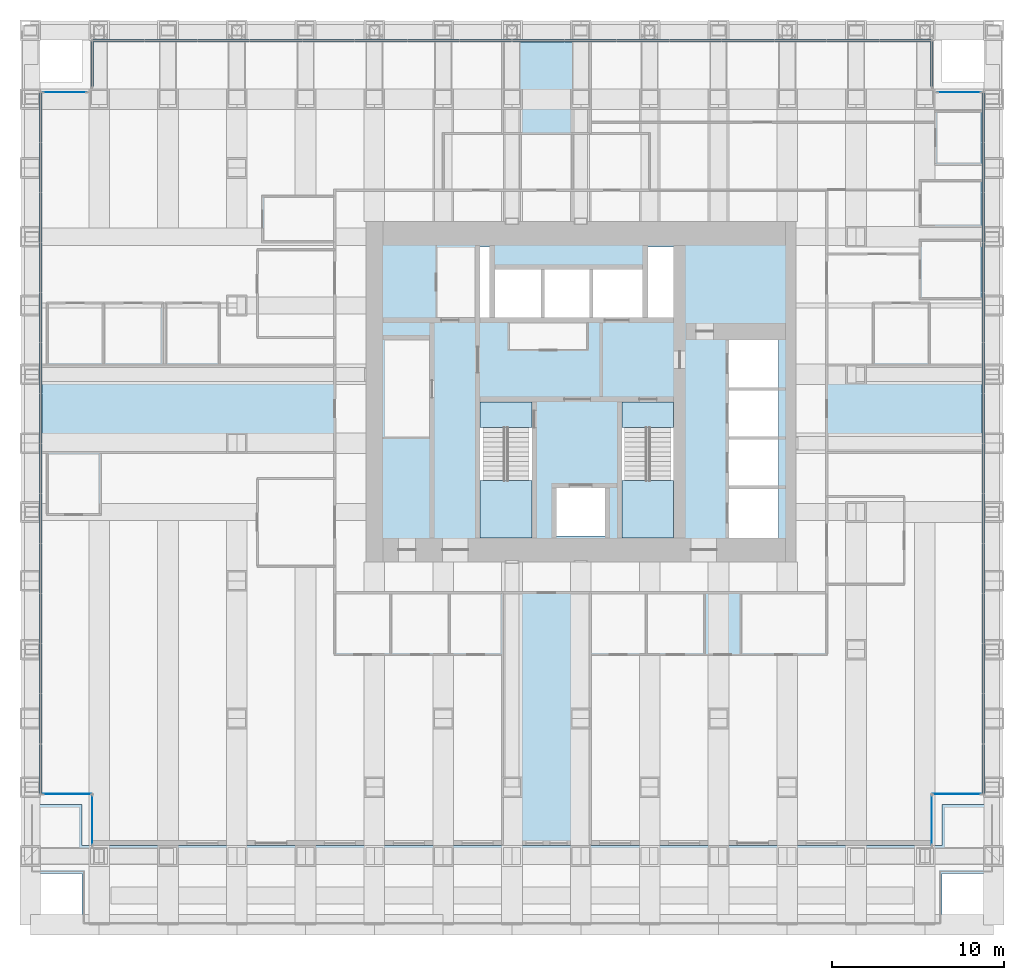
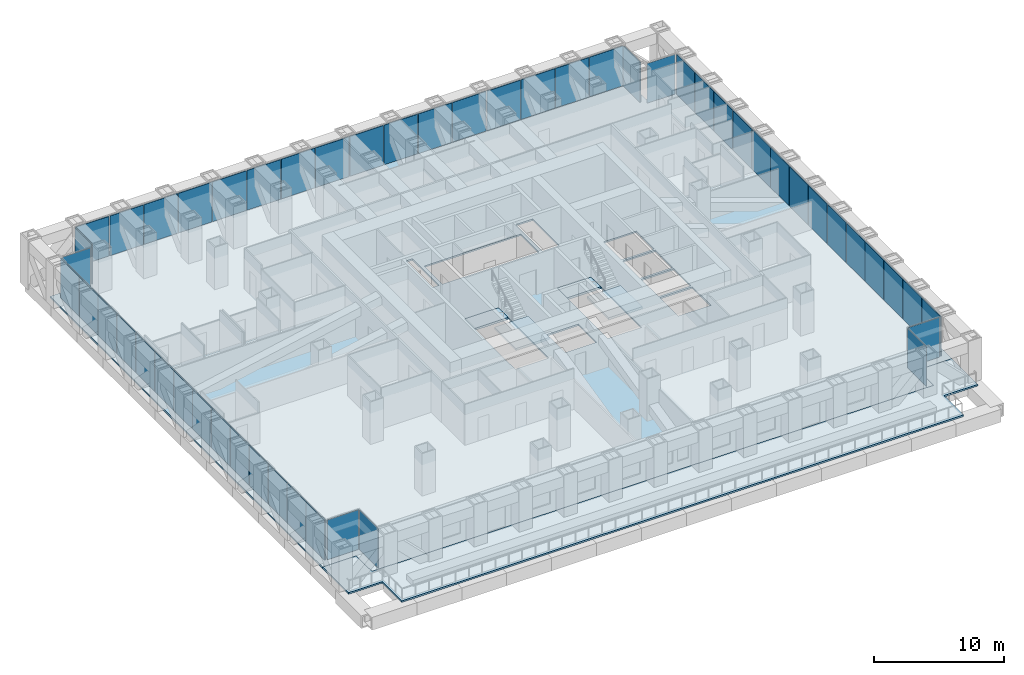
# One storey, part 11 of 18: 52 plates, 6 slabs, 13 elements without a shape of their own.
"""IFC4 building model written with IfcOpenShell, lengths in metres."""

from ifc_helpers import new_model, si_unit, direction, frame, origin, origin_2d, place, context, subcontext, project, spatial, polyline, rectangle, outline, extrude, material, layer, layer_set, type_object, element, aggregate, save


model = new_model("IFC4")

# Units and contexts
model_context = context("Model", 3, precision=1e-05, world=origin(), true_north=direction((0.0, 1.0)))
body_context = subcontext(model_context, "Body", "Model", "MODEL_VIEW")
ifc_project = project(units=[si_unit("LENGTHUNIT", "METRE"), si_unit("AREAUNIT", "SQUARE_METRE"), si_unit("VOLUMEUNIT", "CUBIC_METRE"), si_unit("PLANEANGLEUNIT", "RADIAN"), si_unit("MASSUNIT", "GRAM", prefix="KILO")], contexts=[model_context])

# Site, building, storey
site_placement = place(None, origin())
site = spatial("IfcSite", under=ifc_project, at=site_placement, CompositionType="ELEMENT")
building_placement = place(site_placement, origin())
building = spatial("IfcBuilding", under=site, at=building_placement, Name="Rimbunsela Tower", CompositionType="ELEMENT")
storey_placement = place(building_placement, frame((0.0, 0.0, 43.0)))
storey = spatial("IfcBuildingStorey", under=building, at=storey_placement, Name="L10", CompositionType="ELEMENT", Elevation=43.0)

# Slab
ifc_material_1 = material(Name="Concrete fc' 35 MPa", Category="concrete")
ifc_layer_1 = layer(ifc_material_1, 0.14990234375)
ifc_layer_set_1 = layer_set([ifc_layer_1], Name="Floor slab 150")
slab_type_1 = type_object("IfcSlabType", Name="Floor slab 150", PredefinedType="FLOOR", material=ifc_layer_set_1)
slab_1_placement = place(storey_placement, frame((0.0, 0.0, -0.14990234375)))
element("IfcSlab", 1, at=slab_1_placement, inside=storey, type_object=slab_type_1, Name="Floor slab L10", PredefinedType="FLOOR", context=body_context, shape_type="SweptSolid", body=[
    extrude(outline(polyline([(1.0, 3.0), (1.0, 0.60009765625), (51.0, 0.60009765625), (51.0, 3.0), (54.0, 3.0), (54.0, 45.0), (51.0, 45.0), (51.0, 48.0), (1.0, 48.0), (1.0, 45.0), (-2.0, 45.0), (-2.0, 3.0), (1.0, 3.0)]), holes=[polyline([(27.14990234375, 18.60009765625), (27.14990234375, 26.39990234375), (24.14990234375, 26.39990234375), (24.14990234375, 18.60009765625), (27.14990234375, 18.60009765625)]), polyline([(24.699951171875, 31.300048828125), (24.699951171875, 35.39990234375), (24.14990234375, 35.39990234375), (24.14990234375, 31.300048828125), (24.699951171875, 31.300048828125)]), polyline([(25.0, 34.10009765625), (25.0, 31.300048828125), (33.60009765625, 31.300048828125), (33.60009765625, 34.10009765625), (25.0, 34.10009765625)]), polyline([(31.39990234375, 21.39990234375), (28.60009765625, 21.39990234375), (28.60009765625, 18.60009765625), (31.39990234375, 18.60009765625), (31.39990234375, 21.39990234375)]), polyline([(35.39990234375, 18.60009765625), (35.39990234375, 26.39990234375), (32.39990234375, 26.39990234375), (32.39990234375, 18.60009765625), (35.39990234375, 18.60009765625)]), polyline([(35.39990234375, 31.300048828125), (35.39990234375, 35.39990234375), (33.89990234375, 35.39990234375), (33.89990234375, 31.300048828125), (35.39990234375, 31.300048828125)]), polyline([(41.5, 21.35009765625), (38.60009765625, 21.35009765625), (38.60009765625, 18.5), (41.5, 18.5), (41.5, 21.35009765625)]), polyline([(41.5, 21.550048828125), (41.5, 24.199951171875), (38.60009765625, 24.199951171875), (38.60009765625, 21.550048828125), (41.5, 21.550048828125)]), polyline([(41.5, 27.050048828125), (38.60009765625, 27.050048828125), (38.60009765625, 24.39990234375), (41.5, 24.39990234375), (41.5, 27.050048828125)]), polyline([(41.5, 27.25), (41.5, 30.0), (38.60009765625, 30.0), (38.60009765625, 27.25), (41.5, 27.25)])]), origin(), (0.0, 0.0, 1.0), 0.14990234375),
])

# Curtain wall, plate
ifc_material_2 = material(Name="Aluminium curtain wall", Category="aluminium")
curtain_wall_type_1 = type_object("IfcCurtainWallType", Name="Corner glazing", PredefinedType="USERDEFINED", material=ifc_material_2)
curtain_wall_1_placement = place(storey_placement, origin())
curtain_wall_1 = element("IfcCurtainWall", 2, at=curtain_wall_1_placement, inside=storey, type_object=curtain_wall_type_1, Name="Corner glazing L10", ObjectType="CORNER GLAZING", PredefinedType="USERDEFINED")
ifc_material_3 = material(Name="Clear double glazing", Category="glass")
ifc_layer_2 = layer(ifc_material_3, 0.028076171875)
ifc_layer_set_2 = layer_set([ifc_layer_2], Name="Glazed panel clear")
plate_type_1 = type_object("IfcPlateType", Name="Glazed panel clear", PredefinedType="CURTAIN_PANEL", material=ifc_layer_set_2)
plate_1_placement = place(storey_placement, frame((50.39990234375, 2.10009765625, 0.06005859375), z_axis=(0.0, 0.0, 1.0), x_axis=(0.0, 1.0, 0.0)))
plate_1 = element("IfcPlate", 3, at=plate_1_placement, type_object=plate_type_1, Name="CW5 panel 1.1", PredefinedType="CURTAIN_PANEL", context=body_context, shape_type="SweptSolid", body=[
    extrude(rectangle(XDim=2.8798828125, YDim=0.028076171875, at=origin_2d()), origin(), (0.0, 0.0, 1.0), 3.72998046875),
])
aggregate(curtain_wall_1, [plate_1])

curtain_wall_2_placement = place(storey_placement, origin())
curtain_wall_2 = element("IfcCurtainWall", 4, at=curtain_wall_2_placement, inside=storey, type_object=curtain_wall_type_1, Name="Corner glazing L10", ObjectType="CORNER GLAZING", PredefinedType="USERDEFINED")
plate_2_placement = place(storey_placement, frame((51.85009765625, 3.60009765625, 0.06005859375), z_axis=(0.0, 0.0, 1.0), x_axis=(1.0, 0.0, 0.0)))
plate_2 = element("IfcPlate", 5, at=plate_2_placement, type_object=plate_type_1, Name="CW5 panel 1.1", PredefinedType="CURTAIN_PANEL", context=body_context, shape_type="SweptSolid", body=[
    extrude(rectangle(XDim=2.780029296875, YDim=0.028076171875, at=origin_2d()), origin(), (0.0, 0.0, 1.0), 3.72998046875),
])
aggregate(curtain_wall_2, [plate_2])

curtain_wall_3_placement = place(storey_placement, origin())
curtain_wall_3 = element("IfcCurtainWall", 6, at=curtain_wall_3_placement, inside=storey, type_object=curtain_wall_type_1, Name="Corner glazing L10", ObjectType="CORNER GLAZING", PredefinedType="USERDEFINED")
plate_3_placement = place(storey_placement, frame((52.0, 44.39990234375, 0.06005859375), z_axis=(0.0, 0.0, 1.0), x_axis=(-1.0, 0.0, 0.0)))
plate_3 = element("IfcPlate", 7, at=plate_3_placement, type_object=plate_type_1, Name="CW5 panel 1.1", PredefinedType="CURTAIN_PANEL", context=body_context, shape_type="SweptSolid", body=[
    extrude(rectangle(XDim=2.47998046875, YDim=0.028076171875, at=origin_2d()), origin(), (0.0, 0.0, 1.0), 3.72998046875),
])
aggregate(curtain_wall_3, [plate_3])

curtain_wall_4_placement = place(storey_placement, origin())
curtain_wall_4 = element("IfcCurtainWall", 8, at=curtain_wall_4_placement, inside=storey, type_object=curtain_wall_type_1, Name="Corner glazing L10", ObjectType="CORNER GLAZING", PredefinedType="USERDEFINED")
plate_4_placement = place(storey_placement, frame((0.0, 44.39990234375, 0.06005859375), z_axis=(0.0, 0.0, 1.0), x_axis=(-1.0, 0.0, 0.0)))
plate_4 = element("IfcPlate", 9, at=plate_4_placement, type_object=plate_type_1, Name="CW5 panel 1.1", PredefinedType="CURTAIN_PANEL", context=body_context, shape_type="SweptSolid", body=[
    extrude(rectangle(XDim=2.47998046875, YDim=0.028076171875, at=origin_2d()), origin(), (0.0, 0.0, 1.0), 3.72998046875),
])
aggregate(curtain_wall_4, [plate_4])

curtain_wall_5_placement = place(storey_placement, origin())
curtain_wall_5 = element("IfcCurtainWall", 10, at=curtain_wall_5_placement, inside=storey, type_object=curtain_wall_type_1, Name="Corner glazing L10", ObjectType="CORNER GLAZING", PredefinedType="USERDEFINED")
plate_5_placement = place(storey_placement, frame((0.14990234375, 3.60009765625, 0.06005859375), z_axis=(0.0, 0.0, 1.0), x_axis=(1.0, 0.0, 0.0)))
plate_5 = element("IfcPlate", 11, at=plate_5_placement, type_object=plate_type_1, Name="CW5 panel 1.1", PredefinedType="CURTAIN_PANEL", context=body_context, shape_type="SweptSolid", body=[
    extrude(rectangle(XDim=2.780029296875, YDim=0.028076171875, at=origin_2d()), origin(), (0.0, 0.0, 1.0), 3.72998046875),
])
aggregate(curtain_wall_5, [plate_5])

curtain_wall_6_placement = place(storey_placement, origin())
curtain_wall_6 = element("IfcCurtainWall", 12, at=curtain_wall_6_placement, inside=storey, type_object=curtain_wall_type_1, Name="Corner glazing L10", ObjectType="CORNER GLAZING", PredefinedType="USERDEFINED")
plate_6_placement = place(storey_placement, frame((1.60009765625, 2.10009765625, 0.06005859375), z_axis=(0.0, 0.0, 1.0), x_axis=(0.0, -1.0, 0.0)))
plate_6 = element("IfcPlate", 13, at=plate_6_placement, type_object=plate_type_1, Name="CW5 panel 1.1", PredefinedType="CURTAIN_PANEL", context=body_context, shape_type="SweptSolid", body=[
    extrude(rectangle(XDim=2.8798828125, YDim=0.028076171875, at=origin_2d()), origin(), (0.0, 0.0, 1.0), 3.72998046875),
])
aggregate(curtain_wall_6, [plate_6])

# Curtain wall, plates
ifc_material_4 = material(Name="Aluminium curtain wall", Category="aluminium")
curtain_wall_type_2 = type_object("IfcCurtainWallType", Name="Exoskeleton storey infill", PredefinedType="USERDEFINED", material=ifc_material_4)
curtain_wall_7_placement = place(storey_placement, origin())
curtain_wall_7 = element("IfcCurtainWall", 14, at=curtain_wall_7_placement, inside=storey, type_object=curtain_wall_type_2, Name="Exoskeleton storey infill L10", ObjectType="EXOSKELETON STOREY INFILL", PredefinedType="USERDEFINED")
ifc_material_5 = material(Name="Insulated aluminium spandrel panel", Category="aluminium")
ifc_layer_3 = layer(ifc_material_5, 0.10009765625)
ifc_layer_set_3 = layer_set([ifc_layer_3], Name="Insulated panel 100")
plate_type_2 = type_object("IfcPlateType", Name="Insulated panel 100", PredefinedType="CURTAIN_PANEL", material=ifc_layer_set_3)
plate_7_placement = place(storey_placement, frame((53.39990234375, 5.072021484375, 0.06005859375), z_axis=(0.0, 0.0, 1.0), x_axis=(0.0, 1.0, 0.0)))
plate_7 = element("IfcPlate", 15, at=plate_7_placement, type_object=plate_type_2, Name="CW2 panel 1.1", PredefinedType="CURTAIN_PANEL", context=body_context, shape_type="SweptSolid", body=[
    extrude(rectangle(XDim=2.82421875, YDim=0.10009765625, at=origin_2d()), origin(), (0.0, 0.0, 1.0), 3.72998046875),
])
plate_8_placement = place(storey_placement, frame((53.39990234375, 7.971435546875, 0.06005859375), z_axis=(0.0, 0.0, 1.0), x_axis=(0.0, 1.0, 0.0)))
plate_8 = element("IfcPlate", 16, at=plate_8_placement, type_object=plate_type_2, Name="CW2 panel 2.1", PredefinedType="CURTAIN_PANEL", context=body_context, shape_type="SweptSolid", body=[
    extrude(rectangle(XDim=2.854248046875, YDim=0.10009765625, at=origin_2d()), origin(), (0.0, 0.0, 1.0), 3.72998046875),
])
plate_9_placement = place(storey_placement, frame((53.39990234375, 10.8857421875, 0.06005859375), z_axis=(0.0, 0.0, 1.0), x_axis=(0.0, 1.0, 0.0)))
plate_9 = element("IfcPlate", 17, at=plate_9_placement, type_object=plate_type_2, Name="CW2 panel 3.1", PredefinedType="CURTAIN_PANEL", context=body_context, shape_type="SweptSolid", body=[
    extrude(rectangle(XDim=2.854248046875, YDim=0.10009765625, at=origin_2d()), origin(), (0.0, 0.0, 1.0), 3.72998046875),
])
plate_10_placement = place(storey_placement, frame((53.39990234375, 13.800048828125, 0.06005859375), z_axis=(0.0, 0.0, 1.0), x_axis=(0.0, 1.0, 0.0)))
plate_10 = element("IfcPlate", 18, at=plate_10_placement, type_object=plate_type_2, Name="CW2 panel 4.1", PredefinedType="CURTAIN_PANEL", context=body_context, shape_type="SweptSolid", body=[
    extrude(rectangle(XDim=2.854248046875, YDim=0.10009765625, at=origin_2d()), origin(), (0.0, 0.0, 1.0), 3.72998046875),
])
plate_11_placement = place(storey_placement, frame((53.39990234375, 16.71435546875, 0.06005859375), z_axis=(0.0, 0.0, 1.0), x_axis=(0.0, 1.0, 0.0)))
plate_11 = element("IfcPlate", 19, at=plate_11_placement, type_object=plate_type_2, Name="CW2 panel 5.1", PredefinedType="CURTAIN_PANEL", context=body_context, shape_type="SweptSolid", body=[
    extrude(rectangle(XDim=2.854248046875, YDim=0.10009765625, at=origin_2d()), origin(), (0.0, 0.0, 1.0), 3.72998046875),
])
plate_12_placement = place(storey_placement, frame((53.39990234375, 19.628662109375, 0.06005859375), z_axis=(0.0, 0.0, 1.0), x_axis=(0.0, 1.0, 0.0)))
plate_12 = element("IfcPlate", 20, at=plate_12_placement, type_object=plate_type_2, Name="CW2 panel 6.1", PredefinedType="CURTAIN_PANEL", context=body_context, shape_type="SweptSolid", body=[
    extrude(rectangle(XDim=2.854248046875, YDim=0.10009765625, at=origin_2d()), origin(), (0.0, 0.0, 1.0), 3.72998046875),
])
plate_13_placement = place(storey_placement, frame((53.39990234375, 22.54296875, 0.06005859375), z_axis=(0.0, 0.0, 1.0), x_axis=(0.0, 1.0, 0.0)))
plate_13 = element("IfcPlate", 21, at=plate_13_placement, type_object=plate_type_2, Name="CW2 panel 7.1", PredefinedType="CURTAIN_PANEL", context=body_context, shape_type="SweptSolid", body=[
    extrude(rectangle(XDim=2.854248046875, YDim=0.10009765625, at=origin_2d()), origin(), (0.0, 0.0, 1.0), 3.72998046875),
])
plate_14_placement = place(storey_placement, frame((53.39990234375, 25.45703125, 0.06005859375), z_axis=(0.0, 0.0, 1.0), x_axis=(0.0, 1.0, 0.0)))
plate_14 = element("IfcPlate", 22, at=plate_14_placement, type_object=plate_type_2, Name="CW2 panel 8.1", PredefinedType="CURTAIN_PANEL", context=body_context, shape_type="SweptSolid", body=[
    extrude(rectangle(XDim=2.854248046875, YDim=0.10009765625, at=origin_2d()), origin(), (0.0, 0.0, 1.0), 3.72998046875),
])
plate_15_placement = place(storey_placement, frame((53.39990234375, 28.371337890625, 0.06005859375), z_axis=(0.0, 0.0, 1.0), x_axis=(0.0, 1.0, 0.0)))
plate_15 = element("IfcPlate", 23, at=plate_15_placement, type_object=plate_type_2, Name="CW2 panel 9.1", PredefinedType="CURTAIN_PANEL", context=body_context, shape_type="SweptSolid", body=[
    extrude(rectangle(XDim=2.854248046875, YDim=0.10009765625, at=origin_2d()), origin(), (0.0, 0.0, 1.0), 3.72998046875),
])
plate_16_placement = place(storey_placement, frame((53.39990234375, 31.28564453125, 0.06005859375), z_axis=(0.0, 0.0, 1.0), x_axis=(0.0, 1.0, 0.0)))
plate_16 = element("IfcPlate", 24, at=plate_16_placement, type_object=plate_type_2, Name="CW2 panel 10.1", PredefinedType="CURTAIN_PANEL", context=body_context, shape_type="SweptSolid", body=[
    extrude(rectangle(XDim=2.854248046875, YDim=0.10009765625, at=origin_2d()), origin(), (0.0, 0.0, 1.0), 3.72998046875),
])
plate_17_placement = place(storey_placement, frame((53.39990234375, 34.199951171875, 0.06005859375), z_axis=(0.0, 0.0, 1.0), x_axis=(0.0, 1.0, 0.0)))
plate_17 = element("IfcPlate", 25, at=plate_17_placement, type_object=plate_type_2, Name="CW2 panel 11.1", PredefinedType="CURTAIN_PANEL", context=body_context, shape_type="SweptSolid", body=[
    extrude(rectangle(XDim=2.854248046875, YDim=0.10009765625, at=origin_2d()), origin(), (0.0, 0.0, 1.0), 3.72998046875),
])
plate_18_placement = place(storey_placement, frame((53.39990234375, 37.1142578125, 0.06005859375), z_axis=(0.0, 0.0, 1.0), x_axis=(0.0, 1.0, 0.0)))
plate_18 = element("IfcPlate", 26, at=plate_18_placement, type_object=plate_type_2, Name="CW2 panel 12.1", PredefinedType="CURTAIN_PANEL", context=body_context, shape_type="SweptSolid", body=[
    extrude(rectangle(XDim=2.854248046875, YDim=0.10009765625, at=origin_2d()), origin(), (0.0, 0.0, 1.0), 3.72998046875),
])
plate_19_placement = place(storey_placement, frame((53.39990234375, 40.028564453125, 0.06005859375), z_axis=(0.0, 0.0, 1.0), x_axis=(0.0, 1.0, 0.0)))
plate_19 = element("IfcPlate", 27, at=plate_19_placement, type_object=plate_type_2, Name="CW2 panel 13.1", PredefinedType="CURTAIN_PANEL", context=body_context, shape_type="SweptSolid", body=[
    extrude(rectangle(XDim=2.854248046875, YDim=0.10009765625, at=origin_2d()), origin(), (0.0, 0.0, 1.0), 3.72998046875),
])
plate_20_placement = place(storey_placement, frame((53.39990234375, 42.927978515625, 0.06005859375), z_axis=(0.0, 0.0, 1.0), x_axis=(0.0, 1.0, 0.0)))
plate_20 = element("IfcPlate", 28, at=plate_20_placement, type_object=plate_type_2, Name="CW2 panel 14.1", PredefinedType="CURTAIN_PANEL", context=body_context, shape_type="SweptSolid", body=[
    extrude(rectangle(XDim=2.82421875, YDim=0.10009765625, at=origin_2d()), origin(), (0.0, 0.0, 1.0), 3.72998046875),
])
aggregate(curtain_wall_7, [plate_7, plate_8, plate_9, plate_10, plate_11, plate_12, plate_13, plate_14, plate_15, plate_16, plate_17, plate_18, plate_19, plate_20])

# Curtain wall, plate
ifc_material_6 = material(Name="Aluminium curtain wall", Category="aluminium")
curtain_wall_type_3 = type_object("IfcCurtainWallType", Name="Spandrel wall", PredefinedType="USERDEFINED", material=ifc_material_6)
curtain_wall_8_placement = place(storey_placement, origin())
curtain_wall_8 = element("IfcCurtainWall", 29, at=curtain_wall_8_placement, inside=storey, type_object=curtain_wall_type_3, Name="Spandrel wall L10", ObjectType="SPANDREL WALL", PredefinedType="USERDEFINED")
plate_21_placement = place(storey_placement, frame((50.39990234375, 46.050048828125, 0.06005859375), z_axis=(0.0, 0.0, 1.0), x_axis=(0.0, 1.0, 0.0)))
plate_21 = element("IfcPlate", 30, at=plate_21_placement, type_object=plate_type_2, Name="CW7 panel 1.1", PredefinedType="CURTAIN_PANEL", context=body_context, shape_type="SweptSolid", body=[
    extrude(rectangle(XDim=2.580078125, YDim=0.10009765625, at=origin_2d()), origin(), (0.0, 0.0, 1.0), 3.72998046875),
])
aggregate(curtain_wall_8, [plate_21])

# Curtain wall, plates
curtain_wall_9_placement = place(storey_placement, origin())
curtain_wall_9 = element("IfcCurtainWall", 31, at=curtain_wall_9_placement, inside=storey, type_object=curtain_wall_type_2, Name="Exoskeleton storey infill L10", ObjectType="EXOSKELETON STOREY INFILL", PredefinedType="USERDEFINED")
plate_22_placement = place(storey_placement, frame((48.860107421875, 47.39990234375, 0.06005859375), z_axis=(0.0, 0.0, 1.0), x_axis=(-1.0, 0.0, 0.0)))
plate_22 = element("IfcPlate", 32, at=plate_22_placement, type_object=plate_type_2, Name="CW2 panel 1.1", PredefinedType="CURTAIN_PANEL", context=body_context, shape_type="SweptSolid", body=[
    extrude(rectangle(XDim=2.9599609375, YDim=0.10009765625, at=origin_2d()), origin(), (0.0, 0.0, 1.0), 3.72998046875),
])
plate_23_placement = place(storey_placement, frame((45.824951171875, 47.39990234375, 0.06005859375), z_axis=(0.0, 0.0, 1.0), x_axis=(-1.0, 0.0, 0.0)))
plate_23 = element("IfcPlate", 33, at=plate_23_placement, type_object=plate_type_2, Name="CW2 panel 2.1", PredefinedType="CURTAIN_PANEL", context=body_context, shape_type="SweptSolid", body=[
    extrude(rectangle(XDim=2.989990234375, YDim=0.10009765625, at=origin_2d()), origin(), (0.0, 0.0, 1.0), 3.72998046875),
])
plate_24_placement = place(storey_placement, frame((42.77490234375, 47.39990234375, 0.06005859375), z_axis=(0.0, 0.0, 1.0), x_axis=(-1.0, 0.0, 0.0)))
plate_24 = element("IfcPlate", 34, at=plate_24_placement, type_object=plate_type_2, Name="CW2 panel 3.1", PredefinedType="CURTAIN_PANEL", context=body_context, shape_type="SweptSolid", body=[
    extrude(rectangle(XDim=2.989990234375, YDim=0.10009765625, at=origin_2d()), origin(), (0.0, 0.0, 1.0), 3.72998046875),
])
plate_25_placement = place(storey_placement, frame((39.72509765625, 47.39990234375, 0.06005859375), z_axis=(0.0, 0.0, 1.0), x_axis=(-1.0, 0.0, 0.0)))
plate_25 = element("IfcPlate", 35, at=plate_25_placement, type_object=plate_type_2, Name="CW2 panel 4.1", PredefinedType="CURTAIN_PANEL", context=body_context, shape_type="SweptSolid", body=[
    extrude(rectangle(XDim=2.989990234375, YDim=0.10009765625, at=origin_2d()), origin(), (0.0, 0.0, 1.0), 3.72998046875),
])
plate_26_placement = place(storey_placement, frame((36.675048828125, 47.39990234375, 0.06005859375), z_axis=(0.0, 0.0, 1.0), x_axis=(-1.0, 0.0, 0.0)))
plate_26 = element("IfcPlate", 36, at=plate_26_placement, type_object=plate_type_2, Name="CW2 panel 5.1", PredefinedType="CURTAIN_PANEL", context=body_context, shape_type="SweptSolid", body=[
    extrude(rectangle(XDim=2.989990234375, YDim=0.10009765625, at=origin_2d()), origin(), (0.0, 0.0, 1.0), 3.72998046875),
])
plate_27_placement = place(storey_placement, frame((33.625, 47.39990234375, 0.06005859375), z_axis=(0.0, 0.0, 1.0), x_axis=(-1.0, 0.0, 0.0)))
plate_27 = element("IfcPlate", 37, at=plate_27_placement, type_object=plate_type_2, Name="CW2 panel 6.1", PredefinedType="CURTAIN_PANEL", context=body_context, shape_type="SweptSolid", body=[
    extrude(rectangle(XDim=2.989990234375, YDim=0.10009765625, at=origin_2d()), origin(), (0.0, 0.0, 1.0), 3.72998046875),
])
plate_28_placement = place(storey_placement, frame((30.574951171875, 47.39990234375, 0.06005859375), z_axis=(0.0, 0.0, 1.0), x_axis=(-1.0, 0.0, 0.0)))
plate_28 = element("IfcPlate", 38, at=plate_28_placement, type_object=plate_type_2, Name="CW2 panel 7.1", PredefinedType="CURTAIN_PANEL", context=body_context, shape_type="SweptSolid", body=[
    extrude(rectangle(XDim=2.989990234375, YDim=0.10009765625, at=origin_2d()), origin(), (0.0, 0.0, 1.0), 3.72998046875),
])
plate_29_placement = place(storey_placement, frame((27.52490234375, 47.39990234375, 0.06005859375), z_axis=(0.0, 0.0, 1.0), x_axis=(-1.0, 0.0, 0.0)))
plate_29 = element("IfcPlate", 39, at=plate_29_placement, type_object=plate_type_2, Name="CW2 panel 8.1", PredefinedType="CURTAIN_PANEL", context=body_context, shape_type="SweptSolid", body=[
    extrude(rectangle(XDim=2.989990234375, YDim=0.10009765625, at=origin_2d()), origin(), (0.0, 0.0, 1.0), 3.72998046875),
])
plate_30_placement = place(storey_placement, frame((24.47509765625, 47.39990234375, 0.06005859375), z_axis=(0.0, 0.0, 1.0), x_axis=(-1.0, 0.0, 0.0)))
plate_30 = element("IfcPlate", 40, at=plate_30_placement, type_object=plate_type_2, Name="CW2 panel 9.1", PredefinedType="CURTAIN_PANEL", context=body_context, shape_type="SweptSolid", body=[
    extrude(rectangle(XDim=2.989990234375, YDim=0.10009765625, at=origin_2d()), origin(), (0.0, 0.0, 1.0), 3.72998046875),
])
plate_31_placement = place(storey_placement, frame((21.425048828125, 47.39990234375, 0.06005859375), z_axis=(0.0, 0.0, 1.0), x_axis=(-1.0, 0.0, 0.0)))
plate_31 = element("IfcPlate", 41, at=plate_31_placement, type_object=plate_type_2, Name="CW2 panel 10.1", PredefinedType="CURTAIN_PANEL", context=body_context, shape_type="SweptSolid", body=[
    extrude(rectangle(XDim=2.989990234375, YDim=0.10009765625, at=origin_2d()), origin(), (0.0, 0.0, 1.0), 3.72998046875),
])
plate_32_placement = place(storey_placement, frame((18.375, 47.39990234375, 0.06005859375), z_axis=(0.0, 0.0, 1.0), x_axis=(-1.0, 0.0, 0.0)))
plate_32 = element("IfcPlate", 42, at=plate_32_placement, type_object=plate_type_2, Name="CW2 panel 11.1", PredefinedType="CURTAIN_PANEL", context=body_context, shape_type="SweptSolid", body=[
    extrude(rectangle(XDim=2.989990234375, YDim=0.10009765625, at=origin_2d()), origin(), (0.0, 0.0, 1.0), 3.72998046875),
])
plate_33_placement = place(storey_placement, frame((15.324951171875, 47.39990234375, 0.06005859375), z_axis=(0.0, 0.0, 1.0), x_axis=(-1.0, 0.0, 0.0)))
plate_33 = element("IfcPlate", 43, at=plate_33_placement, type_object=plate_type_2, Name="CW2 panel 12.1", PredefinedType="CURTAIN_PANEL", context=body_context, shape_type="SweptSolid", body=[
    extrude(rectangle(XDim=2.989990234375, YDim=0.10009765625, at=origin_2d()), origin(), (0.0, 0.0, 1.0), 3.72998046875),
])
plate_34_placement = place(storey_placement, frame((12.27490234375, 47.39990234375, 0.06005859375), z_axis=(0.0, 0.0, 1.0), x_axis=(-1.0, 0.0, 0.0)))
plate_34 = element("IfcPlate", 44, at=plate_34_placement, type_object=plate_type_2, Name="CW2 panel 13.1", PredefinedType="CURTAIN_PANEL", context=body_context, shape_type="SweptSolid", body=[
    extrude(rectangle(XDim=2.989990234375, YDim=0.10009765625, at=origin_2d()), origin(), (0.0, 0.0, 1.0), 3.72998046875),
])
plate_35_placement = place(storey_placement, frame((9.22509765625, 47.39990234375, 0.06005859375), z_axis=(0.0, 0.0, 1.0), x_axis=(-1.0, 0.0, 0.0)))
plate_35 = element("IfcPlate", 45, at=plate_35_placement, type_object=plate_type_2, Name="CW2 panel 14.1", PredefinedType="CURTAIN_PANEL", context=body_context, shape_type="SweptSolid", body=[
    extrude(rectangle(XDim=2.989990234375, YDim=0.10009765625, at=origin_2d()), origin(), (0.0, 0.0, 1.0), 3.72998046875),
])
plate_36_placement = place(storey_placement, frame((6.175048828125, 47.39990234375, 0.06005859375), z_axis=(0.0, 0.0, 1.0), x_axis=(-1.0, 0.0, 0.0)))
plate_36 = element("IfcPlate", 46, at=plate_36_placement, type_object=plate_type_2, Name="CW2 panel 15.1", PredefinedType="CURTAIN_PANEL", context=body_context, shape_type="SweptSolid", body=[
    extrude(rectangle(XDim=2.989990234375, YDim=0.10009765625, at=origin_2d()), origin(), (0.0, 0.0, 1.0), 3.72998046875),
])
plate_37_placement = place(storey_placement, frame((3.139892578125, 47.39990234375, 0.06005859375), z_axis=(0.0, 0.0, 1.0), x_axis=(-1.0, 0.0, 0.0)))
plate_37 = element("IfcPlate", 47, at=plate_37_placement, type_object=plate_type_2, Name="CW2 panel 16.1", PredefinedType="CURTAIN_PANEL", context=body_context, shape_type="SweptSolid", body=[
    extrude(rectangle(XDim=2.9599609375, YDim=0.10009765625, at=origin_2d()), origin(), (0.0, 0.0, 1.0), 3.72998046875),
])
aggregate(curtain_wall_9, [plate_22, plate_23, plate_24, plate_25, plate_26, plate_27, plate_28, plate_29, plate_30, plate_31, plate_32, plate_33, plate_34, plate_35, plate_36, plate_37])

# Curtain wall, plate
curtain_wall_10_placement = place(storey_placement, origin())
curtain_wall_10 = element("IfcCurtainWall", 48, at=curtain_wall_10_placement, inside=storey, type_object=curtain_wall_type_3, Name="Spandrel wall L10", ObjectType="SPANDREL WALL", PredefinedType="USERDEFINED")
plate_38_placement = place(storey_placement, frame((1.60009765625, 46.050048828125, 0.06005859375), z_axis=(0.0, 0.0, 1.0), x_axis=(0.0, -1.0, 0.0)))
plate_38 = element("IfcPlate", 49, at=plate_38_placement, type_object=plate_type_2, Name="CW7 panel 1.1", PredefinedType="CURTAIN_PANEL", context=body_context, shape_type="SweptSolid", body=[
    extrude(rectangle(XDim=2.580078125, YDim=0.10009765625, at=origin_2d()), origin(), (0.0, 0.0, 1.0), 3.72998046875),
])
aggregate(curtain_wall_10, [plate_38])

# Curtain wall, plates
curtain_wall_11_placement = place(storey_placement, origin())
curtain_wall_11 = element("IfcCurtainWall", 50, at=curtain_wall_11_placement, inside=storey, type_object=curtain_wall_type_2, Name="Exoskeleton storey infill L10", ObjectType="EXOSKELETON STOREY INFILL", PredefinedType="USERDEFINED")
plate_39_placement = place(storey_placement, frame((-1.39990234375, 42.927978515625, 0.06005859375), z_axis=(0.0, 0.0, 1.0), x_axis=(0.0, -1.0, 0.0)))
plate_39 = element("IfcPlate", 51, at=plate_39_placement, type_object=plate_type_2, Name="CW2 panel 1.1", PredefinedType="CURTAIN_PANEL", context=body_context, shape_type="SweptSolid", body=[
    extrude(rectangle(XDim=2.82421875, YDim=0.10009765625, at=origin_2d()), origin(), (0.0, 0.0, 1.0), 3.72998046875),
])
plate_40_placement = place(storey_placement, frame((-1.39990234375, 40.028564453125, 0.06005859375), z_axis=(0.0, 0.0, 1.0), x_axis=(0.0, -1.0, 0.0)))
plate_40 = element("IfcPlate", 52, at=plate_40_placement, type_object=plate_type_2, Name="CW2 panel 2.1", PredefinedType="CURTAIN_PANEL", context=body_context, shape_type="SweptSolid", body=[
    extrude(rectangle(XDim=2.854248046875, YDim=0.10009765625, at=origin_2d()), origin(), (0.0, 0.0, 1.0), 3.72998046875),
])
plate_41_placement = place(storey_placement, frame((-1.39990234375, 37.1142578125, 0.06005859375), z_axis=(0.0, 0.0, 1.0), x_axis=(0.0, -1.0, 0.0)))
plate_41 = element("IfcPlate", 53, at=plate_41_placement, type_object=plate_type_2, Name="CW2 panel 3.1", PredefinedType="CURTAIN_PANEL", context=body_context, shape_type="SweptSolid", body=[
    extrude(rectangle(XDim=2.854248046875, YDim=0.10009765625, at=origin_2d()), origin(), (0.0, 0.0, 1.0), 3.72998046875),
])
plate_42_placement = place(storey_placement, frame((-1.39990234375, 34.199951171875, 0.06005859375), z_axis=(0.0, 0.0, 1.0), x_axis=(0.0, -1.0, 0.0)))
plate_42 = element("IfcPlate", 54, at=plate_42_placement, type_object=plate_type_2, Name="CW2 panel 4.1", PredefinedType="CURTAIN_PANEL", context=body_context, shape_type="SweptSolid", body=[
    extrude(rectangle(XDim=2.854248046875, YDim=0.10009765625, at=origin_2d()), origin(), (0.0, 0.0, 1.0), 3.72998046875),
])
plate_43_placement = place(storey_placement, frame((-1.39990234375, 31.28564453125, 0.06005859375), z_axis=(0.0, 0.0, 1.0), x_axis=(0.0, -1.0, 0.0)))
plate_43 = element("IfcPlate", 55, at=plate_43_placement, type_object=plate_type_2, Name="CW2 panel 5.1", PredefinedType="CURTAIN_PANEL", context=body_context, shape_type="SweptSolid", body=[
    extrude(rectangle(XDim=2.854248046875, YDim=0.10009765625, at=origin_2d()), origin(), (0.0, 0.0, 1.0), 3.72998046875),
])
plate_44_placement = place(storey_placement, frame((-1.39990234375, 28.371337890625, 0.06005859375), z_axis=(0.0, 0.0, 1.0), x_axis=(0.0, -1.0, 0.0)))
plate_44 = element("IfcPlate", 56, at=plate_44_placement, type_object=plate_type_2, Name="CW2 panel 6.1", PredefinedType="CURTAIN_PANEL", context=body_context, shape_type="SweptSolid", body=[
    extrude(rectangle(XDim=2.854248046875, YDim=0.10009765625, at=origin_2d()), origin(), (0.0, 0.0, 1.0), 3.72998046875),
])
plate_45_placement = place(storey_placement, frame((-1.39990234375, 25.45703125, 0.06005859375), z_axis=(0.0, 0.0, 1.0), x_axis=(0.0, -1.0, 0.0)))
plate_45 = element("IfcPlate", 57, at=plate_45_placement, type_object=plate_type_2, Name="CW2 panel 7.1", PredefinedType="CURTAIN_PANEL", context=body_context, shape_type="SweptSolid", body=[
    extrude(rectangle(XDim=2.854248046875, YDim=0.10009765625, at=origin_2d()), origin(), (0.0, 0.0, 1.0), 3.72998046875),
])
plate_46_placement = place(storey_placement, frame((-1.39990234375, 22.54296875, 0.06005859375), z_axis=(0.0, 0.0, 1.0), x_axis=(0.0, -1.0, 0.0)))
plate_46 = element("IfcPlate", 58, at=plate_46_placement, type_object=plate_type_2, Name="CW2 panel 8.1", PredefinedType="CURTAIN_PANEL", context=body_context, shape_type="SweptSolid", body=[
    extrude(rectangle(XDim=2.854248046875, YDim=0.10009765625, at=origin_2d()), origin(), (0.0, 0.0, 1.0), 3.72998046875),
])
plate_47_placement = place(storey_placement, frame((-1.39990234375, 19.628662109375, 0.06005859375), z_axis=(0.0, 0.0, 1.0), x_axis=(0.0, -1.0, 0.0)))
plate_47 = element("IfcPlate", 59, at=plate_47_placement, type_object=plate_type_2, Name="CW2 panel 9.1", PredefinedType="CURTAIN_PANEL", context=body_context, shape_type="SweptSolid", body=[
    extrude(rectangle(XDim=2.854248046875, YDim=0.10009765625, at=origin_2d()), origin(), (0.0, 0.0, 1.0), 3.72998046875),
])
plate_48_placement = place(storey_placement, frame((-1.39990234375, 16.71435546875, 0.06005859375), z_axis=(0.0, 0.0, 1.0), x_axis=(0.0, -1.0, 0.0)))
plate_48 = element("IfcPlate", 60, at=plate_48_placement, type_object=plate_type_2, Name="CW2 panel 10.1", PredefinedType="CURTAIN_PANEL", context=body_context, shape_type="SweptSolid", body=[
    extrude(rectangle(XDim=2.854248046875, YDim=0.10009765625, at=origin_2d()), origin(), (0.0, 0.0, 1.0), 3.72998046875),
])
plate_49_placement = place(storey_placement, frame((-1.39990234375, 13.800048828125, 0.06005859375), z_axis=(0.0, 0.0, 1.0), x_axis=(0.0, -1.0, 0.0)))
plate_49 = element("IfcPlate", 61, at=plate_49_placement, type_object=plate_type_2, Name="CW2 panel 11.1", PredefinedType="CURTAIN_PANEL", context=body_context, shape_type="SweptSolid", body=[
    extrude(rectangle(XDim=2.854248046875, YDim=0.10009765625, at=origin_2d()), origin(), (0.0, 0.0, 1.0), 3.72998046875),
])
plate_50_placement = place(storey_placement, frame((-1.39990234375, 10.8857421875, 0.06005859375), z_axis=(0.0, 0.0, 1.0), x_axis=(0.0, -1.0, 0.0)))
plate_50 = element("IfcPlate", 62, at=plate_50_placement, type_object=plate_type_2, Name="CW2 panel 12.1", PredefinedType="CURTAIN_PANEL", context=body_context, shape_type="SweptSolid", body=[
    extrude(rectangle(XDim=2.854248046875, YDim=0.10009765625, at=origin_2d()), origin(), (0.0, 0.0, 1.0), 3.72998046875),
])
plate_51_placement = place(storey_placement, frame((-1.39990234375, 7.971435546875, 0.06005859375), z_axis=(0.0, 0.0, 1.0), x_axis=(0.0, -1.0, 0.0)))
plate_51 = element("IfcPlate", 63, at=plate_51_placement, type_object=plate_type_2, Name="CW2 panel 13.1", PredefinedType="CURTAIN_PANEL", context=body_context, shape_type="SweptSolid", body=[
    extrude(rectangle(XDim=2.854248046875, YDim=0.10009765625, at=origin_2d()), origin(), (0.0, 0.0, 1.0), 3.72998046875),
])
plate_52_placement = place(storey_placement, frame((-1.39990234375, 5.072021484375, 0.06005859375), z_axis=(0.0, 0.0, 1.0), x_axis=(0.0, -1.0, 0.0)))
plate_52 = element("IfcPlate", 64, at=plate_52_placement, type_object=plate_type_2, Name="CW2 panel 14.1", PredefinedType="CURTAIN_PANEL", context=body_context, shape_type="SweptSolid", body=[
    extrude(rectangle(XDim=2.82421875, YDim=0.10009765625, at=origin_2d()), origin(), (0.0, 0.0, 1.0), 3.72998046875),
])
aggregate(curtain_wall_11, [plate_39, plate_40, plate_41, plate_42, plate_43, plate_44, plate_45, plate_46, plate_47, plate_48, plate_49, plate_50, plate_51, plate_52])

# Stair, slabs
ifc_material_7 = material(Name="Concrete fc' 35 MPa", Category="concrete")
stair_type = type_object("IfcStairType", Name="Exit stair 24 risers", PredefinedType="HALF_TURN_STAIR", material=ifc_material_7)
stair_1_placement = place(storey_placement, origin())
stair_1 = element("IfcStair", 65, at=stair_1_placement, inside=storey, type_object=stair_type, Name="Exit stair A L10", PredefinedType="HALF_TURN_STAIR")
ifc_material_8 = material(Name="Concrete fc' 35 MPa", Category="concrete")
ifc_layer_4 = layer(ifc_material_8, 0.199951171875)
ifc_layer_set_4 = layer_set([ifc_layer_4], Name="Stair landing 200")
slab_type_2 = type_object("IfcSlabType", Name="Stair landing 200", PredefinedType="LANDING", material=ifc_layer_set_4)
slab_2_placement = place(storey_placement, frame((0.0, 0.0, -0.199951171875)))
slab_2 = element("IfcSlab", 66, at=slab_2_placement, type_object=slab_type_2, Name="ST-A landing 1", PredefinedType="LANDING", context=body_context, shape_type="SweptSolid", body=[
    extrude(outline(polyline([(24.14990234375, 24.89990234375), (27.14990234375, 24.89990234375), (27.14990234375, 26.39990234375), (24.14990234375, 26.39990234375), (24.14990234375, 24.89990234375)])), origin(), (0.0, 0.0, 1.0), 0.199951171875),
])
slab_3_placement = place(storey_placement, frame((0.0, 0.0, 1.800048828125)))
slab_3 = element("IfcSlab", 67, at=slab_3_placement, type_object=slab_type_2, Name="ST-A landing 2", PredefinedType="LANDING", context=body_context, shape_type="SweptSolid", body=[
    extrude(outline(polyline([(24.14990234375, 18.5), (27.14990234375, 18.5), (27.14990234375, 21.820068359375), (24.14990234375, 21.820068359375), (24.14990234375, 18.5)])), origin(), (0.0, 0.0, 1.0), 0.199951171875),
])
aggregate(stair_1, [slab_2, slab_3])

stair_2_placement = place(storey_placement, origin())
stair_2 = element("IfcStair", 68, at=stair_2_placement, inside=storey, type_object=stair_type, Name="Exit stair B L10", PredefinedType="HALF_TURN_STAIR")
slab_4_placement = place(storey_placement, frame((0.0, 0.0, -0.199951171875)))
slab_4 = element("IfcSlab", 69, at=slab_4_placement, type_object=slab_type_2, Name="ST-B landing 1", PredefinedType="LANDING", context=body_context, shape_type="SweptSolid", body=[
    extrude(outline(polyline([(32.39990234375, 24.89990234375), (35.39990234375, 24.89990234375), (35.39990234375, 26.39990234375), (32.39990234375, 26.39990234375), (32.39990234375, 24.89990234375)])), origin(), (0.0, 0.0, 1.0), 0.199951171875),
])
slab_5_placement = place(storey_placement, frame((0.0, 0.0, 1.800048828125)))
slab_5 = element("IfcSlab", 70, at=slab_5_placement, type_object=slab_type_2, Name="ST-B landing 2", PredefinedType="LANDING", context=body_context, shape_type="SweptSolid", body=[
    extrude(outline(polyline([(32.39990234375, 18.5), (35.39990234375, 18.5), (35.39990234375, 21.820068359375), (32.39990234375, 21.820068359375), (32.39990234375, 18.5)])), origin(), (0.0, 0.0, 1.0), 0.199951171875),
])
aggregate(stair_2, [slab_4, slab_5])

# Slab
ifc_material_9 = material(Name="Concrete fc' 35 MPa", Category="concrete")
ifc_layer_5 = layer(ifc_material_9, 0.14990234375)
ifc_layer_set_5 = layer_set([ifc_layer_5], Name="Terrace slab 150")
slab_type_3 = type_object("IfcSlabType", Name="Terrace slab 150", PredefinedType="ROOF", material=ifc_layer_set_5)
slab_6_placement = place(storey_placement, frame((0.0, 0.0, -0.14990234375)))
element("IfcSlab", 71, at=slab_6_placement, inside=storey, type_object=slab_type_3, Name="Terrace L10", PredefinedType="ROOF", context=body_context, shape_type="SweptSolid", body=[
    extrude(outline(polyline([(54.0, -1.0), (51.0, -1.0), (51.0, -4.0), (1.0, -4.0), (1.0, -1.0), (-2.0, -1.0), (-2.0, 3.0), (1.0, 3.0), (1.0, 0.60009765625), (51.0, 0.60009765625), (51.0, 3.0), (54.0, 3.0), (54.0, -1.0)])), origin(), (0.0, 0.0, 1.0), 0.14990234375),
])

save(model, "model.ifc")
